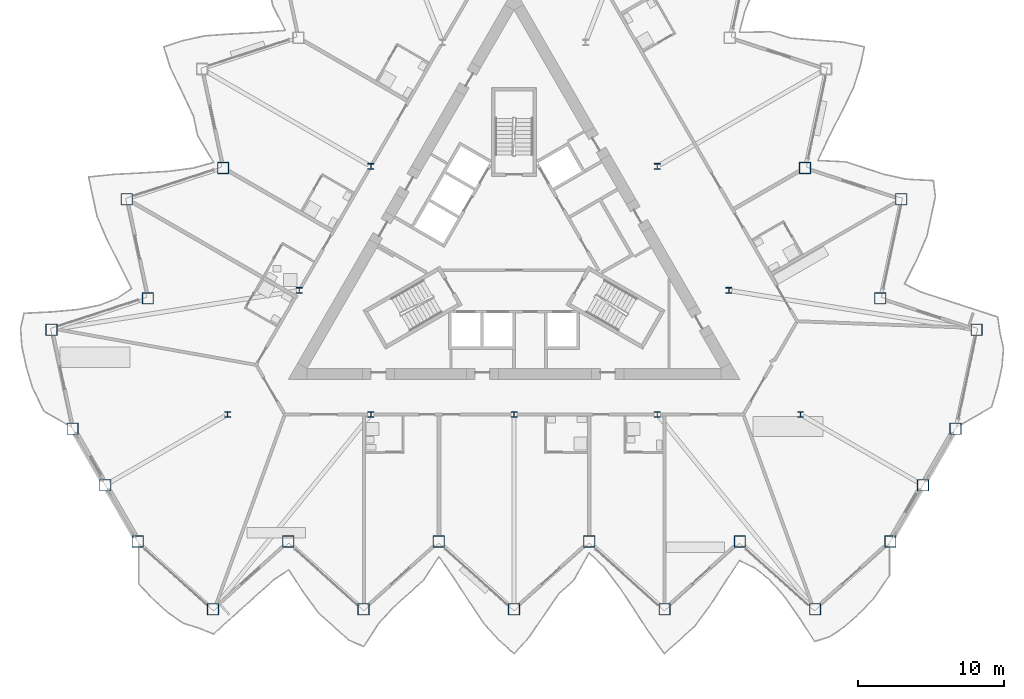
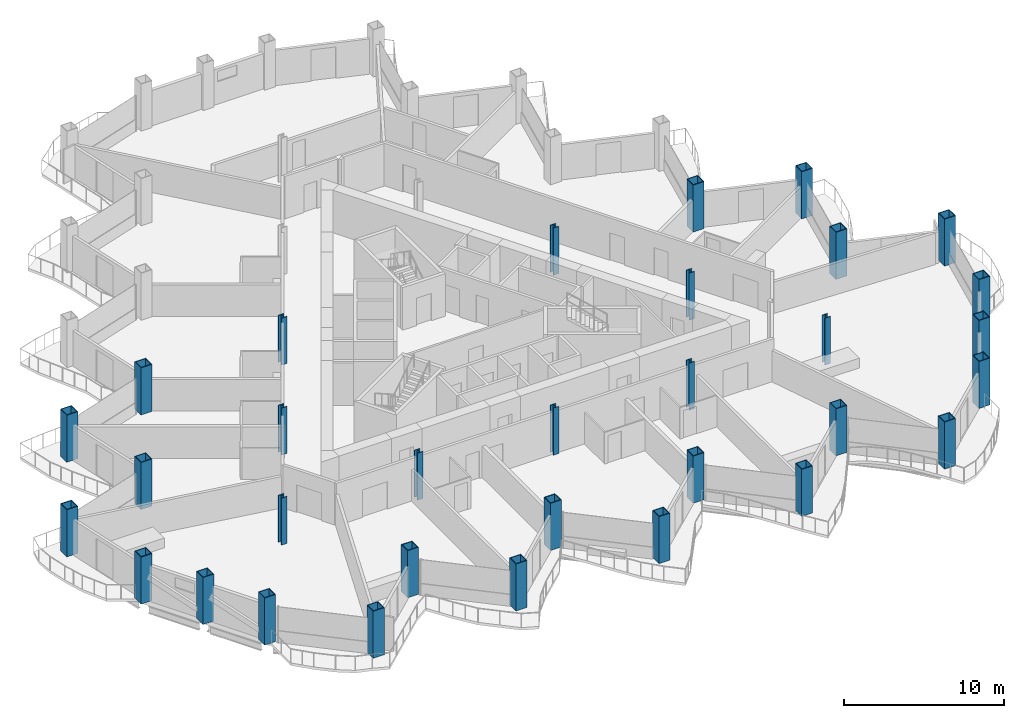
# One storey, part 1 of 23: 32 columns.
"""IFC4 building model written with IfcOpenShell, lengths in metres."""

from ifc_helpers import new_model, si_unit, direction, frame, origin, origin_2d, place, context, subcontext, project, spatial, hollow_rectangle, i_section, extrude, material, material_profile, profile_set, type_object, element, save


model = new_model("IFC4")

# Units and contexts
model_context = context("Model", 3, precision=1e-05, world=origin(), true_north=direction((0.0, 1.0)))
body_context = subcontext(model_context, "Body", "Model", "MODEL_VIEW")
ifc_project = project(units=[si_unit("LENGTHUNIT", "METRE"), si_unit("AREAUNIT", "SQUARE_METRE"), si_unit("VOLUMEUNIT", "CUBIC_METRE"), si_unit("PLANEANGLEUNIT", "RADIAN"), si_unit("MASSUNIT", "GRAM", prefix="KILO")], contexts=[model_context])

# Site, building, storey
site_placement = place(None, origin())
site = spatial("IfcSite", under=ifc_project, at=site_placement, CompositionType="ELEMENT")
building_placement = place(site_placement, origin())
building = spatial("IfcBuilding", under=site, at=building_placement, Name="Cormorant Prow Tower", CompositionType="ELEMENT")
storey_placement = place(building_placement, frame((0.0, 0.0, 208.800048828125)))
storey = spatial("IfcBuildingStorey", under=building, at=storey_placement, Name="L46", CompositionType="ELEMENT", Elevation=208.800048828125)

# Columns
ifc_material_1 = material(Name="Structural steel ASTM A572 Gr 50", Category="steel")
ifc_material_profile_1 = material_profile(ifc_material_1, hollow_rectangle(XDim=0.800048828125, YDim=0.800048828125, WallThickness=0.050048828125, at=origin_2d()), Name="Box 800x800x50")
ifc_profile_set_1 = profile_set([ifc_material_profile_1], Name="Structural steel ASTM A572 Gr 50")
column_type_1 = type_object("IfcColumnType", Name="Perimeter box column 800x800x50", PredefinedType="COLUMN", material=ifc_profile_set_1)
for number, where, z_axis, x_axis, name in (
    (1, (-25.823486328125, -20.0712890625, 0.0), (0.0, 0.0, 1.0), (1.0, 0.0, 0.0), "Perimeter column C4 at S00 L46"),
    (2, (-20.658935546875, -24.7216796875, 0.0), (0.0, 0.0, 1.0), (1.0, 0.0, 0.0), "Perimeter column C4 at S01 L46"),
    (3, (-15.494140625, -20.0712890625, 0.0), (0.0, 0.0, 1.0), (1.0, 0.0, 0.0), "Perimeter column C4 at S02 L46"),
    (4, (-10.329345703125, -24.7216796875, 0.0), (0.0, 0.0, 1.0), (1.0, 0.0, 0.0), "Perimeter column C4 at S03 L46"),
    (5, (-5.164794921875, -20.0712890625, 0.0), (0.0, 0.0, 1.0), (1.0, 0.0, 0.0), "Perimeter column C4 at S04 L46"),
    (6, (0.0, -24.7216796875, 0.0), (0.0, 0.0, 1.0), (1.0, 0.0, 0.0), "Perimeter column C4 at S05 L46"),
    (7, (5.164794921875, -20.0712890625, 0.0), (0.0, 0.0, 1.0), (1.0, 0.0, 0.0), "Perimeter column C4 at S06 L46"),
    (8, (10.329345703125, -24.7216796875, 0.0), (0.0, 0.0, 1.0), (1.0, 0.0, 0.0), "Perimeter column C4 at S07 L46"),
    (9, (15.494140625, -20.0712890625, 0.0), (0.0, 0.0, 1.0), (1.0, 0.0, 0.0), "Perimeter column C4 at S08 L46"),
    (10, (20.658935546875, -24.7216796875, 0.0), (0.0, 0.0, 1.0), (1.0, 0.0, 0.0), "Perimeter column C4 at S09 L46"),
    (11, (25.823486328125, -20.0712890625, 0.0), (0.0, 0.0, 1.0), (1.0, 0.0, 0.0), "Perimeter column C4 at ESE00 L46"),
    (12, (28.058837890625, -16.19970703125, 0.0), (0.0, 0.0, 1.0), (1.0, 0.0, 0.0), "Perimeter column C4 at ESE01 L46"),
    (13, (30.2939453125, -12.328369140625, 0.0), (0.0, 0.0, 1.0), (1.0, 0.0, 0.0), "Perimeter column C4 at ENE00 L46"),
    (14, (31.739013671875, -5.5302734375, 0.0), (0.0, 0.0, 1.0), (1.0, 0.0, 0.0), "Perimeter column C4 at ENE01 L46"),
    (15, (25.12939453125, -3.3828125, 0.0), (0.0, 0.0, 1.0), (1.0, 0.0, 0.0), "Perimeter column C4 at ENE02 L46"),
    (16, (26.57421875, 3.415283203125, 0.0), (0.0, 0.0, 1.0), (1.0, 0.0, 0.0), "Perimeter column C4 at ENE03 L46"),
    (17, (19.964599609375, 5.562744140625, 0.0), (0.0, 0.0, 1.0), (1.0, 0.0, 0.0), "Perimeter column C4 at ENE04 L46"),
    (18, (-19.964599609375, 5.562744140625, 0.0), (0.0, 0.0, 1.0), (1.0, 0.0, 0.0), "Perimeter column C4 at WNW06 L46"),
    (19, (-26.57421875, 3.415283203125, 0.0), (0.0, 0.0, 1.0), (1.0, 0.0, 0.0), "Perimeter column C4 at WNW07 L46"),
    (20, (-25.12939453125, -3.3828125, 0.0), (0.0, 0.0, 1.0), (1.0, 0.0, 0.0), "Perimeter column C4 at WNW08 L46"),
    (21, (-31.739013671875, -5.5302734375, 0.0), (0.0, 0.0, 1.0), (1.0, 0.0, 0.0), "Perimeter column C4 at WNW09 L46"),
    (22, (-30.2939453125, -12.328369140625, 0.0), (0.0, 0.0, 1.0), (1.0, 0.0, 0.0), "Perimeter column C4 at WSW00 L46"),
    (23, (-28.058837890625, -16.19970703125, 0.0), (0.0, 0.0, 1.0), (1.0, 0.0, 0.0), "Perimeter column C4 at WSW01 L46"),
):
    element("IfcColumn", number, at=place(storey_placement, frame(where, z_axis=z_axis, x_axis=x_axis)), inside=storey, type_object=column_type_1, Name=name, PredefinedType="COLUMN", context=body_context, shape_type="SweptSolid", body=[
        extrude(hollow_rectangle(XDim=0.800048828125, YDim=0.800048828125, WallThickness=0.050048828125, at=origin_2d()), origin(), (0.0, 0.0, 1.0), 3.599853515625),
    ])
ifc_material_2 = material(Name="Structural steel ASTM A992 Gr 50", Category="steel")
ifc_material_profile_2 = material_profile(ifc_material_2, i_section(OverallWidth=0.403564453125, OverallDepth=0.407470703125, WebThickness=0.027099609375, FlangeThickness=0.043701171875, at=origin_2d()), Name="W14x233")
ifc_profile_set_2 = profile_set([ifc_material_profile_2], Name="Structural steel ASTM A992 Gr 50")
column_type_2 = type_object("IfcColumnType", Name="Ring column W14x233", PredefinedType="COLUMN", material=ifc_profile_set_2)
for number, where, z_axis, x_axis, name in (
    (24, (-9.828369140625, 5.674560546875, 0.0), (0.0, 0.0, 1.0), (1.0, 0.0, 0.0), "Ring column 3 L46"),
    (25, (-14.74267578125, -2.837158203125, 0.0), (0.0, 0.0, 1.0), (1.0, 0.0, 0.0), "Ring column 4 L46"),
    (26, (-19.656982421875, -11.348876953125, 0.0), (0.0, 0.0, 1.0), (1.0, 0.0, 0.0), "Ring column 5 L46"),
    (27, (-9.828369140625, -11.348876953125, 0.0), (0.0, 0.0, 1.0), (1.0, 0.0, 0.0), "Ring column 6 L46"),
    (28, (0.0, -11.348876953125, 0.0), (0.0, 0.0, 1.0), (1.0, 0.0, 0.0), "Ring column 7 L46"),
    (29, (9.828369140625, -11.348876953125, 0.0), (0.0, 0.0, 1.0), (1.0, 0.0, 0.0), "Ring column 8 L46"),
    (30, (19.656982421875, -11.348876953125, 0.0), (0.0, 0.0, 1.0), (1.0, 0.0, 0.0), "Ring column 9 L46"),
    (31, (14.74267578125, -2.837158203125, 0.0), (0.0, 0.0, 1.0), (1.0, 0.0, 0.0), "Ring column 10 L46"),
    (32, (9.828369140625, 5.674560546875, 0.0), (0.0, 0.0, 1.0), (1.0, 0.0, 0.0), "Ring column 11 L46"),
):
    element("IfcColumn", number, at=place(storey_placement, frame(where, z_axis=z_axis, x_axis=x_axis)), inside=storey, type_object=column_type_2, Name=name, PredefinedType="COLUMN", context=body_context, shape_type="SweptSolid", body=[
        extrude(i_section(OverallWidth=0.403564453125, OverallDepth=0.407470703125, WebThickness=0.027099609375, FlangeThickness=0.043701171875, at=origin_2d()), origin(), (0.0, 0.0, 1.0), 3.599853515625),
    ])

save(model, "model.ifc")
